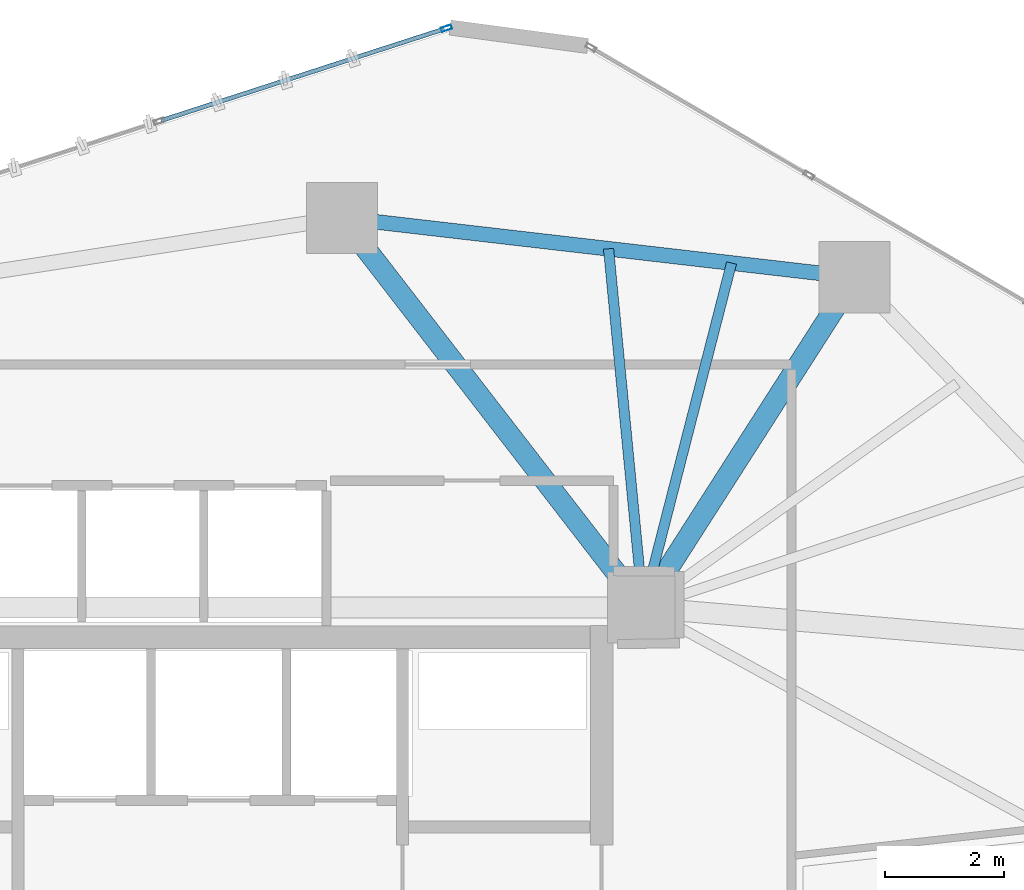
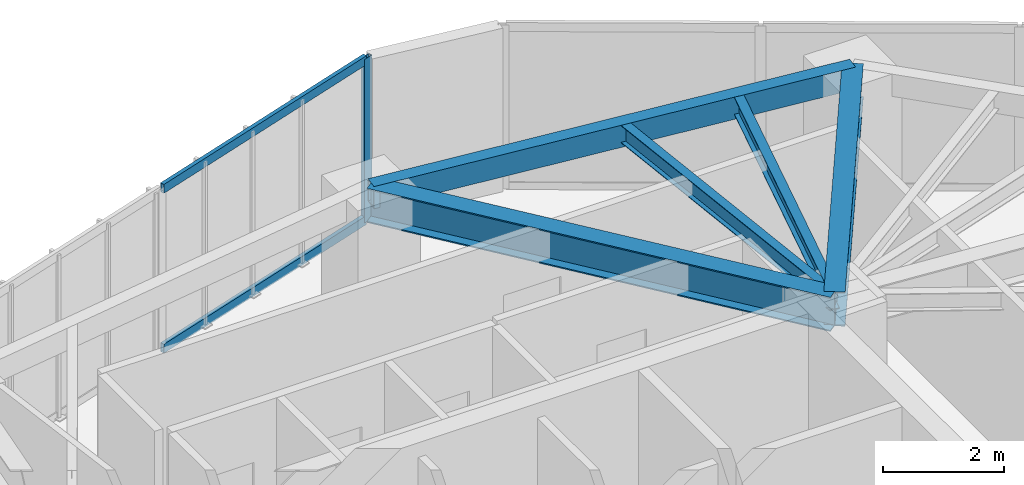
# One storey, part 13 of 21: 5 beams, 3 members, 1 element without a shape of its own.
"""IFC4 building model written with IfcOpenShell, lengths in metres."""

from ifc_helpers import new_model, si_unit, direction, frame, origin, origin_2d, place, context, subcontext, project, spatial, hollow_rectangle, i_section, extrude, source, transform, mapped, material, layer, layer_set, material_profile, profile_set, type_object, type_shapes, element, aggregate, save


model = new_model("IFC4")

# Units and contexts
model_context = context("Model", 3, precision=1e-05, world=origin(), true_north=direction((0.0, 1.0)))
body_context = subcontext(model_context, "Body", "Model", "MODEL_VIEW")
ifc_project = project(units=[si_unit("LENGTHUNIT", "METRE"), si_unit("AREAUNIT", "SQUARE_METRE"), si_unit("VOLUMEUNIT", "CUBIC_METRE"), si_unit("PLANEANGLEUNIT", "RADIAN"), si_unit("MASSUNIT", "GRAM", prefix="KILO")], contexts=[model_context])

# Site, building, storey
site_placement = place(None, origin())
site = spatial("IfcSite", under=ifc_project, at=site_placement, CompositionType="ELEMENT")
building_placement = place(site_placement, origin())
building = spatial("IfcBuilding", under=site, at=building_placement, Name="Talar Marvaseh", CompositionType="ELEMENT")
storey_placement = place(building_placement, frame((0.0, 0.0, 143.39990234375)))
storey = spatial("IfcBuildingStorey", under=building, at=storey_placement, Name="L37", CompositionType="ELEMENT", Elevation=143.39990234375)

# Beams
ifc_material_1 = material(Name="Steel S355", Category="steel")
ifc_material_profile_1 = material_profile(ifc_material_1, hollow_rectangle(XDim=0.25, YDim=0.449951171875, WallThickness=0.01611328125, at=origin_2d()), Name="RHS450x250x16")
ifc_profile_set_1 = profile_set([ifc_material_profile_1], Name="Steel S355")
beam_type_1 = type_object("IfcBeamType", Name="Zone 2 Perimeter Spandrel Beam RHS450x250x16", PredefinedType="SPANDREL", material=ifc_profile_set_1)
beam_1_placement = place(storey_placement, frame((28.221923828125, 43.471923828125, 3.085205078125), z_axis=(0.993361914569, -0.115030894474, 0.0), x_axis=(0.115030894474, 0.993361914569, 0.0)))
element("IfcBeam", 1, at=beam_1_placement, inside=storey, type_object=beam_type_1, Name="L37 Zone 2 Perimeter Spandrel Beam RHS450x250x16", PredefinedType="SPANDREL", context=body_context, shape_type="SweptSolid", body=[
    extrude(hollow_rectangle(XDim=0.25, YDim=0.449951171875, WallThickness=0.01611328125, at=origin_2d()), origin(), (0.0, 0.0, 1.0), 8.701904296875),
])
ifc_material_profile_2 = material_profile(ifc_material_1, i_section(OverallWidth=0.35498046875, OverallDepth=0.695068359375, WebThickness=0.015380859375, FlangeThickness=0.02490234375, at=origin_2d()), Name="W690x217")
ifc_profile_set_2 = profile_set([ifc_material_profile_2], Name="Steel S355")
beam_type_2 = type_object("IfcBeamType", Name="Zone 2 Radial Floor Girder W690x217", PredefinedType="BEAM", material=ifc_profile_set_2)
beam_2_placement = place(storey_placement, frame((36.865966796875, 42.470947265625, 2.962646484375), z_axis=(-0.539101874952, -0.842240564461, 0.0), x_axis=(0.842240564461, -0.539101874952, 0.0)))
element("IfcBeam", 2, at=beam_2_placement, inside=storey, type_object=beam_type_2, Name="L37 Zone 2 Radial Floor Girder W690x217", PredefinedType="BEAM", context=body_context, shape_type="SweptSolid", body=[
    extrude(i_section(OverallWidth=0.35498046875, OverallDepth=0.695068359375, WebThickness=0.015380859375, FlangeThickness=0.02490234375, at=origin_2d()), origin(), (0.0, 0.0, 1.0), 6.614501953125),
])
beam_3_placement = place(storey_placement, frame((28.221923828125, 43.471923828125, 2.962646484375), z_axis=(0.611428258763, -0.791299870079, 0.0), x_axis=(0.791299870079, 0.611428258763, 0.0)))
element("IfcBeam", 3, at=beam_3_placement, inside=storey, type_object=beam_type_2, Name="L37 Zone 2 Radial Floor Girder W690x217", PredefinedType="BEAM", context=body_context, shape_type="SweptSolid", body=[
    extrude(i_section(OverallWidth=0.35498046875, OverallDepth=0.695068359375, WebThickness=0.015380859375, FlangeThickness=0.02490234375, at=origin_2d()), origin(), (0.0, 0.0, 1.0), 8.305419921875),
])
ifc_material_profile_3 = material_profile(ifc_material_1, i_section(OverallWidth=0.172119140625, OverallDepth=0.35791015625, WebThickness=0.0078125, FlangeThickness=0.01318359375, at=origin_2d()), Name="W360x57")
ifc_profile_set_3 = profile_set([ifc_material_profile_3], Name="Steel S355")
beam_type_3 = type_object("IfcBeamType", Name="Zone 2 Secondary Floor Joist W360x57", PredefinedType="JOIST", material=ifc_profile_set_3)
beam_4_placement = place(storey_placement, frame((32.716796875, 42.951416015625, 3.131103515625), z_axis=(0.095936604223, -0.995387446159, 0.0), x_axis=(0.995387446159, 0.095936604223, 0.0)))
element("IfcBeam", 4, at=beam_4_placement, inside=storey, type_object=beam_type_3, Name="L37 Zone 2 Secondary Floor Joist W360x57", PredefinedType="JOIST", context=body_context, shape_type="SweptSolid", body=[
    extrude(i_section(OverallWidth=0.172119140625, OverallDepth=0.35791015625, WebThickness=0.0078125, FlangeThickness=0.01318359375, at=origin_2d()), origin(), (0.0, 0.0, 1.0), 6.07958984375),
])
beam_5_placement = place(storey_placement, frame((34.79150390625, 42.711181640625, 3.131103515625), z_axis=(-0.248591710753, -0.968608363243, 0.0), x_axis=(0.968608363243, -0.248591710753, 0.0)))
element("IfcBeam", 5, at=beam_5_placement, inside=storey, type_object=beam_type_3, Name="L37 Zone 2 Secondary Floor Joist W360x57", PredefinedType="JOIST", context=body_context, shape_type="SweptSolid", body=[
    extrude(i_section(OverallWidth=0.172119140625, OverallDepth=0.35791015625, WebThickness=0.0078125, FlangeThickness=0.01318359375, at=origin_2d()), origin(), (0.0, 0.0, 1.0), 5.99951171875),
])

# Curtain wall, members
ifc_material_2 = material(Name="Architectural Aluminium", Category="aluminium")
ifc_layer = layer(ifc_material_2, 0.199951171875)
ifc_layer_set = layer_set([ifc_layer], Name="Architectural Aluminium")
curtain_wall_type = type_object("IfcCurtainWallType", Name="Unitised Acoustic Library Curtain Wall Z2", PredefinedType="NOTDEFINED", material=ifc_layer_set)
curtain_wall_placement = place(storey_placement, origin())
curtain_wall = element("IfcCurtainWall", 6, at=curtain_wall_placement, inside=storey, type_object=curtain_wall_type, Name="L37 Unitised Acoustic Library Curtain Wall Z2", PredefinedType="NOTDEFINED")
ifc_material_profile_4 = material_profile(ifc_material_2, hollow_rectangle(XDim=0.074951171875, YDim=0.179931640625, WallThickness=0.0048828125, at=origin_2d()), Name="RHS180x75x5")
ifc_profile_set_4 = profile_set([ifc_material_profile_4], Name="Architectural Aluminium")
member_type_1 = type_object("IfcMemberType", Name="Unitised Curtain Wall Standard Mullion RHS180x75x5", PredefinedType="MULLION", material=ifc_profile_set_4)
shared_shape_1 = source(origin(), body_context, "Body", "SweptSolid", [
    extrude(hollow_rectangle(XDim=0.074951171875, YDim=0.179931640625, WallThickness=0.0048828125, at=origin_2d()), origin(), (0.0, 0.0, 1.0), 3.31005859375),
])
type_shapes(member_type_1, [shared_shape_1])
member_1_placement = place(storey_placement, frame((29.982666015625, 46.669677734375, 0.0), z_axis=(0.0, 0.0, 1.0), x_axis=(-0.307886197736, 0.951423191458, 0.0)))
member_1 = element("IfcMember", 7, at=member_1_placement, type_object=member_type_1, Name="CW-Z2 mullion 4", PredefinedType="MULLION", context=body_context, shape_type="MappedRepresentation", body=[
    mapped(shared_shape_1, transform((0.0, 0.0, 0.0), x_axis=(1.0, 0.0, 0.0), y_axis=(0.0, 1.0, 0.0), z_axis=(0.0, 0.0, 1.0), scale=1.0)),
])
ifc_material_profile_5 = material_profile(ifc_material_2, hollow_rectangle(XDim=0.074951171875, YDim=0.179931640625, WallThickness=0.0048828125, at=origin_2d()), Name="RHS180x75x5")
ifc_profile_set_5 = profile_set([ifc_material_profile_5], Name="Architectural Aluminium")
member_type_2 = type_object("IfcMemberType", Name="Unitised Curtain Wall Transom RHS180x75x5", PredefinedType="USERDEFINED", material=ifc_profile_set_5)
shared_shape_2 = source(origin(), body_context, "Body", "SweptSolid", [
    extrude(hollow_rectangle(XDim=0.074951171875, YDim=0.179931640625, WallThickness=0.0048828125, at=origin_2d()), origin(), (0.0, 0.0, 1.0), 5.017333984375),
])
type_shapes(member_type_2, [shared_shape_2])
member_2_placement = place(storey_placement, frame((25.17333984375, 45.11328125, 0.03759765625), z_axis=(0.951415593726, 0.307909675093, 0.0), x_axis=(-0.307909675093, 0.951415593726, 0.0)))
member_2 = element("IfcMember", 8, at=member_2_placement, type_object=member_type_2, Name="CW-Z2 transom 3.1", ObjectType="TRANSOM", PredefinedType="USERDEFINED", context=body_context, shape_type="MappedRepresentation", body=[
    mapped(shared_shape_2, transform((0.0, 0.0, 0.0), x_axis=(1.0, 0.0, 0.0), y_axis=(0.0, 1.0, 0.0), z_axis=(0.0, 0.0, 1.0), scale=1.0)),
])
member_3_placement = place(storey_placement, frame((25.17333984375, 45.11328125, 3.272705078125), z_axis=(0.951415593726, 0.307909675093, 0.0), x_axis=(-0.307909675093, 0.951415593726, 0.0)))
member_3 = element("IfcMember", 9, at=member_3_placement, type_object=member_type_2, Name="CW-Z2 transom 3.2", ObjectType="TRANSOM", PredefinedType="USERDEFINED", context=body_context, shape_type="MappedRepresentation", body=[
    mapped(shared_shape_2, transform((0.0, 0.0, 0.0), x_axis=(1.0, 0.0, 0.0), y_axis=(0.0, 1.0, 0.0), z_axis=(0.0, 0.0, 1.0), scale=1.0)),
])
aggregate(curtain_wall, [member_1, member_2, member_3])

save(model, "model.ifc")
